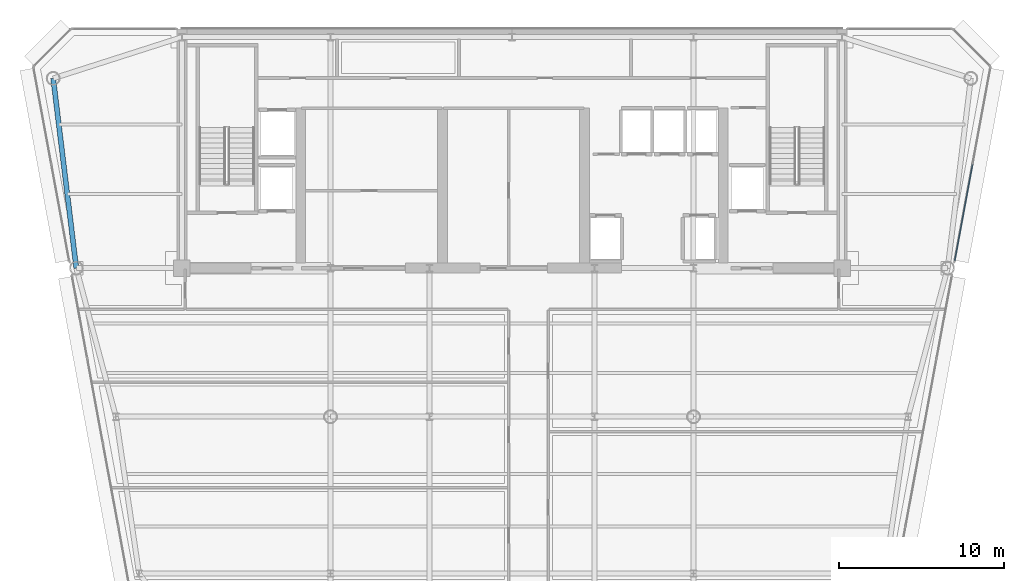
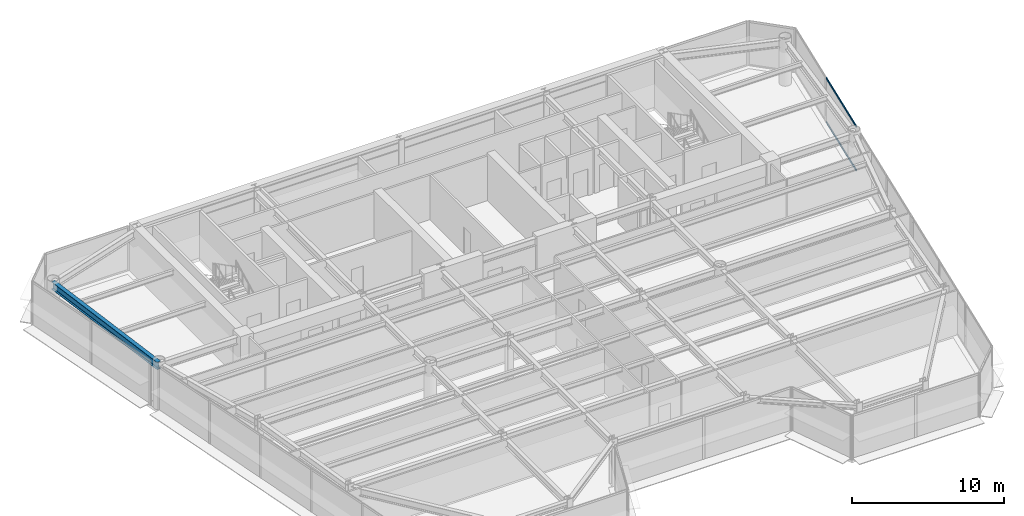
# One storey, part 7 of 16: 2 members, 1 beam, 1 element without a shape of its own.
"""IFC4 building model written with IfcOpenShell, lengths in metres."""

from ifc_helpers import new_model, si_unit, direction, frame, origin, origin_2d, place, context, subcontext, project, spatial, rectangle, i_section, extrude, source, transform, mapped, material, layer, layer_set, material_profile, profile_set, type_object, element, aggregate, save


model = new_model("IFC4")

# Units and contexts
model_context = context("Model", 3, precision=1e-05, world=origin(), true_north=direction((0.0, 1.0)))
body_context = subcontext(model_context, "Body", "Model", "MODEL_VIEW")
ifc_project = project(units=[si_unit("LENGTHUNIT", "METRE"), si_unit("AREAUNIT", "SQUARE_METRE"), si_unit("VOLUMEUNIT", "CUBIC_METRE"), si_unit("PLANEANGLEUNIT", "RADIAN"), si_unit("MASSUNIT", "GRAM", prefix="KILO")], contexts=[model_context])

# Site, building, storey
site_placement = place(None, origin())
site = spatial("IfcSite", under=ifc_project, at=site_placement, CompositionType="ELEMENT")
building_placement = place(site_placement, origin())
building = spatial("IfcBuilding", under=site, at=building_placement, Name="Vaeldorn Concourse Tower", CompositionType="ELEMENT")
storey_placement = place(building_placement, frame((0.0, 0.0, 223.199951171875)))
storey = spatial("IfcBuildingStorey", under=building, at=storey_placement, Name="L57", CompositionType="ELEMENT", Elevation=223.199951171875)

# Beam
ifc_material_1 = material(Name="Steel S355", Category="steel")
ifc_material_profile_1 = material_profile(ifc_material_1, i_section(OverallWidth=0.300048828125, OverallDepth=0.60009765625, WebThickness=0.015380859375, FlangeThickness=0.030029296875, FilletRadius=0.027099609375, at=origin_2d()), Name="HEB 600")
ifc_profile_set_1 = profile_set([ifc_material_profile_1], Name="Steel S355")
beam_type = type_object("IfcBeamType", Name="BM-PG-HEB600", PredefinedType="BEAM", material=ifc_profile_set_1)
shared_shape_1 = source(origin(), body_context, "Body", "SweptSolid", [
    extrude(i_section(OverallWidth=0.300048828125, OverallDepth=0.60009765625, WebThickness=0.015380859375, FlangeThickness=0.030029296875, FilletRadius=0.027099609375, at=origin_2d()), origin(), (0.0, 0.0, 1.0), 11.5849609375),
])
beam_placement = place(storey_placement, frame((6.199951171875, 48.0, 3.280029296875), z_axis=(0.120859382899, -0.992669637677, 0.0), x_axis=(0.992669637677, 0.120859382899, 0.0)))
element("IfcBeam", 1, at=beam_placement, inside=storey, type_object=beam_type, Name="Beam BM-L57-C-NW1-C-NW2", PredefinedType="BEAM", context=body_context, shape_type="MappedRepresentation", body=[
    mapped(shared_shape_1, transform((0.0, 0.0, 0.0), scale=1.0)),
])

# Curtain wall, members
ifc_material_2 = material(Name="Anodised Bronze Aluminium", Category="aluminium")
ifc_layer = layer(ifc_material_2, 0.179931640625)
ifc_layer_set = layer_set([ifc_layer], Name="Anodised Bronze Aluminium")
curtain_wall_type = type_object("IfcCurtainWallType", Name="CW-SYS-05", PredefinedType="NOTDEFINED", material=ifc_layer_set)
curtain_wall_placement = place(storey_placement, origin())
curtain_wall = element("IfcCurtainWall", 2, at=curtain_wall_placement, inside=storey, type_object=curtain_wall_type, Name="Unitised Curtain Wall CW-L57-E07-2", PredefinedType="NOTDEFINED")
ifc_material_profile_2 = material_profile(ifc_material_2, rectangle(XDim=0.06494140625, YDim=0.14990234375, at=origin_2d()), Name="CWT 65x150")
ifc_profile_set_2 = profile_set([ifc_material_profile_2], Name="Anodised Bronze Aluminium")
member_type = type_object("IfcMemberType", Name="CWT-BRONZE-150", PredefinedType="USERDEFINED", material=ifc_profile_set_2)
shared_shape_2 = source(origin(), body_context, "Body", "SweptSolid", [
    extrude(rectangle(XDim=0.06494140625, YDim=0.14990234375, at=origin_2d()), origin(), (0.0, 0.0, 1.0), 5.90478515625),
])
member_1_placement = place(storey_placement, frame((60.828369140625, 36.95947265625, 0.032470703125), z_axis=(0.181879018898, 0.983320915309, 0.0), x_axis=(-0.983320915309, 0.181879018898, 0.0)))
member_1 = element("IfcMember", 3, at=member_1_placement, type_object=member_type, Name="CW-05 transom 1.1", ObjectType="TRANSOM", PredefinedType="USERDEFINED", context=body_context, shape_type="MappedRepresentation", body=[
    mapped(shared_shape_2, transform((0.0, 0.0, 0.0), scale=1.0)),
])
member_2_placement = place(storey_placement, frame((60.828369140625, 36.95947265625, 3.547607421875), z_axis=(0.181879018898, 0.983320915309, 0.0), x_axis=(-0.983320915309, 0.181879018898, 0.0)))
member_2 = element("IfcMember", 4, at=member_2_placement, type_object=member_type, Name="CW-05 transom 1.2", ObjectType="TRANSOM", PredefinedType="USERDEFINED", context=body_context, shape_type="MappedRepresentation", body=[
    mapped(shared_shape_2, transform((0.0, 0.0, 0.0), scale=1.0)),
])
aggregate(curtain_wall, [member_1, member_2])

save(model, "model.ifc")
